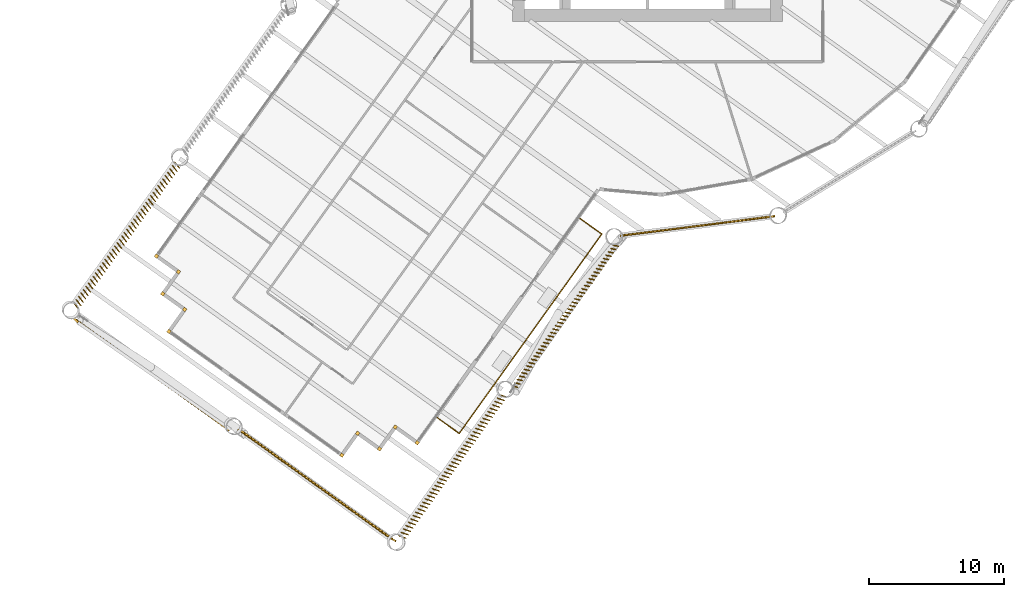
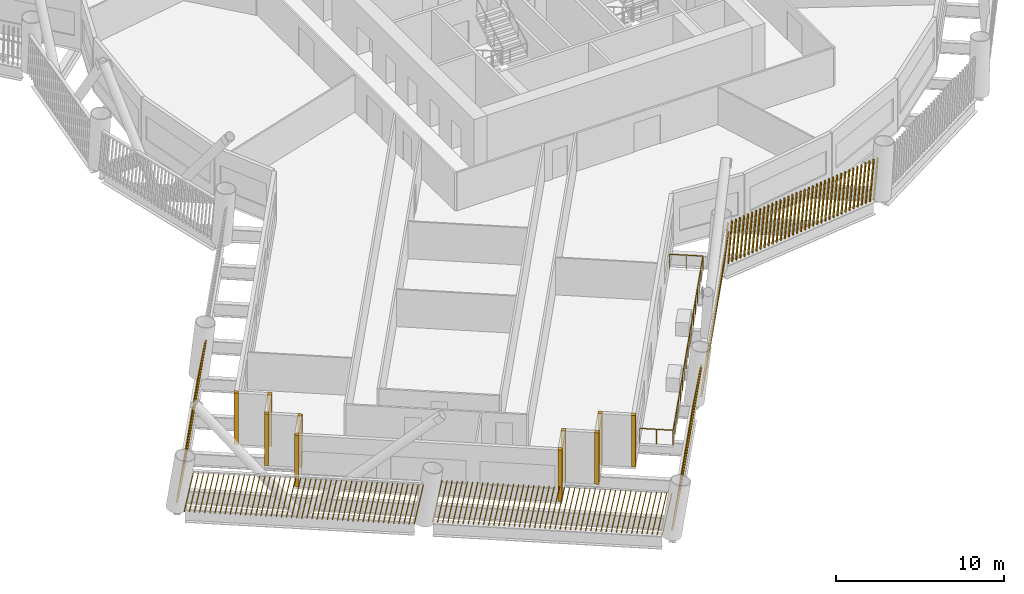
# One storey, part 17 of 21: 16 shading devices, 1 railing.
"""IFC4 building model written with IfcOpenShell, lengths in metres."""

from ifc_helpers import new_model, si_unit, direction, frame, frame_2d, origin, origin_2d, place, context, subcontext, project, spatial, rectangle, circle, composite_profile, extrude, material, type_object, element, save


model = new_model("IFC4")

# Units and contexts
model_context = context("Model", 3, precision=1e-05, world=origin(), true_north=direction((0.0, 1.0)))
body_context = subcontext(model_context, "Body", "Model", "MODEL_VIEW")
ifc_project = project(units=[si_unit("LENGTHUNIT", "METRE"), si_unit("AREAUNIT", "SQUARE_METRE"), si_unit("VOLUMEUNIT", "CUBIC_METRE"), si_unit("PLANEANGLEUNIT", "RADIAN"), si_unit("MASSUNIT", "GRAM", prefix="KILO")], contexts=[model_context])

# Site, building, storey
site_placement = place(None, origin())
site = spatial("IfcSite", under=ifc_project, at=site_placement, CompositionType="ELEMENT")
building_placement = place(site_placement, origin())
building = spatial("IfcBuilding", under=site, at=building_placement, Name="Tarsis Ring Headquarters", CompositionType="ELEMENT")
storey_placement = place(building_placement, frame((0.0, 0.0, 47.800048828125)))
storey = spatial("IfcBuildingStorey", under=building, at=storey_placement, Name="L09", CompositionType="ELEMENT", Elevation=47.800048828125)

# Railing
ifc_material_1 = material(Name="Stainless steel guard", Category="steel")
railing_type = type_object("IfcRailingType", Name="Balcony balustrade with mesh infill 1100", PredefinedType="BALUSTRADE", material=ifc_material_1)
railing_placement = place(storey_placement, frame((-15.565185546875, -42.35546875, 0.0)))
element("IfcRailing", 1, at=railing_placement, inside=storey, type_object=railing_type, Name="Balcony balustrade L09-16", PredefinedType="BALUSTRADE", context=body_context, shape_type="SweptSolid", body=[
    extrude(circle(Radius=0.030029296875, at=origin_2d()), frame((0.0, 0.0, 1.070068359375), z_axis=(0.813147423882, -0.582057786679, 0.0), x_axis=(0.582057786679, 0.813147423882, 0.0)), (0.0, 0.0, 1.0), 2.0),
    extrude(circle(Radius=0.030029296875, at=origin_2d()), frame((1.626220703125, -1.1640625, 1.070068359375), z_axis=(0.582128472772, 0.813096821534, 0.0), x_axis=(-0.813096821534, 0.582128472772, 0.0)), (0.0, 0.0, 1.0), 18.1513671875),
    extrude(circle(Radius=0.030029296875, at=origin_2d()), frame((12.192626953125, 13.5947265625, 1.070068359375), z_axis=(-0.813089645617, 0.582138495713, 0.0), x_axis=(-0.582138495713, -0.813089645617, 0.0)), (0.0, 0.0, 1.0), 2.0),
    extrude(circle(Radius=0.02490234375, at=origin_2d()), origin(), (0.0, 0.0, 1.0), 1.0400390625),
    extrude(circle(Radius=0.02490234375, at=origin_2d()), frame((0.81298828125, -0.58203125, 0.0)), (0.0, 0.0, 1.0), 1.0400390625),
    extrude(circle(Radius=0.02490234375, at=origin_2d()), frame((1.626220703125, -1.1640625, 0.0)), (0.0, 0.0, 1.0), 1.0400390625),
    extrude(circle(Radius=0.02490234375, at=origin_2d()), frame((2.28662109375, -0.24169921875, 0.0)), (0.0, 0.0, 1.0), 1.0400390625),
    extrude(circle(Radius=0.02490234375, at=origin_2d()), frame((2.947021484375, 0.6806640625, 0.0)), (0.0, 0.0, 1.0), 1.0400390625),
    extrude(circle(Radius=0.02490234375, at=origin_2d()), frame((3.607421875, 1.603271484375, 0.0)), (0.0, 0.0, 1.0), 1.0400390625),
    extrude(circle(Radius=0.02490234375, at=origin_2d()), frame((4.267822265625, 2.525634765625, 0.0)), (0.0, 0.0, 1.0), 1.0400390625),
    extrude(circle(Radius=0.02490234375, at=origin_2d()), frame((4.92822265625, 3.447998046875, 0.0)), (0.0, 0.0, 1.0), 1.0400390625),
    extrude(circle(Radius=0.02490234375, at=origin_2d()), frame((5.588623046875, 4.37060546875, 0.0)), (0.0, 0.0, 1.0), 1.0400390625),
    extrude(circle(Radius=0.02490234375, at=origin_2d()), frame((6.2490234375, 5.29296875, 0.0)), (0.0, 0.0, 1.0), 1.0400390625),
    extrude(circle(Radius=0.02490234375, at=origin_2d()), frame((6.909423828125, 6.21533203125, 0.0)), (0.0, 0.0, 1.0), 1.0400390625),
    extrude(circle(Radius=0.02490234375, at=origin_2d()), frame((7.56982421875, 7.1376953125, 0.0)), (0.0, 0.0, 1.0), 1.0400390625),
    extrude(circle(Radius=0.02490234375, at=origin_2d()), frame((8.230224609375, 8.06005859375, 0.0)), (0.0, 0.0, 1.0), 1.0400390625),
    extrude(circle(Radius=0.02490234375, at=origin_2d()), frame((8.890625, 8.982666015625, 0.0)), (0.0, 0.0, 1.0), 1.0400390625),
    extrude(circle(Radius=0.02490234375, at=origin_2d()), frame((9.551025390625, 9.905029296875, 0.0)), (0.0, 0.0, 1.0), 1.0400390625),
    extrude(circle(Radius=0.02490234375, at=origin_2d()), frame((10.21142578125, 10.827392578125, 0.0)), (0.0, 0.0, 1.0), 1.0400390625),
    extrude(circle(Radius=0.02490234375, at=origin_2d()), frame((10.871826171875, 11.75, 0.0)), (0.0, 0.0, 1.0), 1.0400390625),
    extrude(circle(Radius=0.02490234375, at=origin_2d()), frame((11.5322265625, 12.67236328125, 0.0)), (0.0, 0.0, 1.0), 1.0400390625),
    extrude(circle(Radius=0.02490234375, at=origin_2d()), frame((12.192626953125, 13.5947265625, 0.0)), (0.0, 0.0, 1.0), 1.0400390625),
    extrude(circle(Radius=0.02490234375, at=origin_2d()), frame((11.37939453125, 14.1767578125, 0.0)), (0.0, 0.0, 1.0), 1.0400390625),
    extrude(circle(Radius=0.02490234375, at=origin_2d()), frame((10.56640625, 14.759033203125, 0.0)), (0.0, 0.0, 1.0), 1.0400390625),
])

# Shading devices
ifc_material_2 = material(Name="Terracotta baguette", Category="masonry")
shading_device_type_1 = type_object("IfcShadingDeviceType", Name="Terracotta baguette screen", PredefinedType="USERDEFINED", material=ifc_material_2)
shading_device_1_placement = place(storey_placement, frame((-34.96826171875, -23.4189453125, 0.0), z_axis=(0.0, 0.0, 1.0), x_axis=(-0.582133328287, -0.813101973622, 0.0)))
element("IfcShadingDevice", 2, at=shading_device_1_placement, inside=storey, type_object=shading_device_type_1, Name="Baguette screen L09-02", ObjectType="Terracotta baguette screen", PredefinedType="USERDEFINED", context=body_context, shape_type="SweptSolid", body=[
    extrude(composite_profile([rectangle(XDim=0.06005859375, YDim=0.1201171875, at=frame_2d((0.030029296875, 0.0))), rectangle(XDim=0.06005859375, YDim=0.1201171875, at=frame_2d((0.335693359375, 0.0))), rectangle(XDim=0.06005859375, YDim=0.1201171875, at=frame_2d((0.6416015625, 0.0))), rectangle(XDim=0.06005859375, YDim=0.1201171875, at=frame_2d((0.947265625, 0.0))), rectangle(XDim=0.06005859375, YDim=0.1201171875, at=frame_2d((1.253173828125, 0.0))), rectangle(XDim=0.06005859375, YDim=0.1201171875, at=frame_2d((1.558837890625, 0.0))), rectangle(XDim=0.06005859375, YDim=0.1201171875, at=frame_2d((1.864501953125, 0.0))), rectangle(XDim=0.06005859375, YDim=0.1201171875, at=frame_2d((2.17041015625, 0.0))), rectangle(XDim=0.06005859375, YDim=0.1201171875, at=frame_2d((2.47607421875, 0.0))), rectangle(XDim=0.06005859375, YDim=0.1201171875, at=frame_2d((2.781982421875, 0.0))), rectangle(XDim=0.06005859375, YDim=0.1201171875, at=frame_2d((3.087646484375, 0.0))), rectangle(XDim=0.06005859375, YDim=0.1201171875, at=frame_2d((3.393310546875, 0.0))), rectangle(XDim=0.06005859375, YDim=0.1201171875, at=frame_2d((3.69921875, 0.0))), rectangle(XDim=0.06005859375, YDim=0.1201171875, at=frame_2d((4.0048828125, 0.0))), rectangle(XDim=0.06005859375, YDim=0.1201171875, at=frame_2d((4.310791015625, 0.0))), rectangle(XDim=0.06005859375, YDim=0.1201171875, at=frame_2d((4.616455078125, 0.0))), rectangle(XDim=0.06005859375, YDim=0.1201171875, at=frame_2d((4.922119140625, 0.0))), rectangle(XDim=0.06005859375, YDim=0.1201171875, at=frame_2d((5.22802734375, 0.0))), rectangle(XDim=0.06005859375, YDim=0.1201171875, at=frame_2d((5.53369140625, 0.0))), rectangle(XDim=0.06005859375, YDim=0.1201171875, at=frame_2d((5.839599609375, 0.0))), rectangle(XDim=0.06005859375, YDim=0.1201171875, at=frame_2d((6.145263671875, 0.0))), rectangle(XDim=0.06005859375, YDim=0.1201171875, at=frame_2d((6.451171875, 0.0))), rectangle(XDim=0.06005859375, YDim=0.1201171875, at=frame_2d((6.7568359375, 0.0))), rectangle(XDim=0.06005859375, YDim=0.1201171875, at=frame_2d((7.0625, 0.0))), rectangle(XDim=0.06005859375, YDim=0.1201171875, at=frame_2d((7.368408203125, 0.0))), rectangle(XDim=0.06005859375, YDim=0.1201171875, at=frame_2d((7.674072265625, 0.0))), rectangle(XDim=0.06005859375, YDim=0.1201171875, at=frame_2d((7.97998046875, 0.0))), rectangle(XDim=0.06005859375, YDim=0.1201171875, at=frame_2d((8.28564453125, 0.0))), rectangle(XDim=0.06005859375, YDim=0.1201171875, at=frame_2d((8.59130859375, 0.0))), rectangle(XDim=0.06005859375, YDim=0.1201171875, at=frame_2d((8.897216796875, 0.0))), rectangle(XDim=0.06005859375, YDim=0.1201171875, at=frame_2d((9.202880859375, 0.0))), rectangle(XDim=0.06005859375, YDim=0.1201171875, at=frame_2d((9.5087890625, 0.0))), rectangle(XDim=0.06005859375, YDim=0.1201171875, at=frame_2d((9.814453125, 0.0))), rectangle(XDim=0.06005859375, YDim=0.1201171875, at=frame_2d((10.1201171875, 0.0))), rectangle(XDim=0.06005859375, YDim=0.1201171875, at=frame_2d((10.426025390625, 0.0))), rectangle(XDim=0.06005859375, YDim=0.1201171875, at=frame_2d((10.731689453125, 0.0))), rectangle(XDim=0.06005859375, YDim=0.1201171875, at=frame_2d((11.03759765625, 0.0))), rectangle(XDim=0.06005859375, YDim=0.1201171875, at=frame_2d((11.34326171875, 0.0))), rectangle(XDim=0.06005859375, YDim=0.1201171875, at=frame_2d((11.64892578125, 0.0))), rectangle(XDim=0.06005859375, YDim=0.1201171875, at=frame_2d((11.954833984375, 0.0))), rectangle(XDim=0.06005859375, YDim=0.1201171875, at=frame_2d((12.260498046875, 0.0))), rectangle(XDim=0.06005859375, YDim=0.1201171875, at=frame_2d((12.56640625, 0.0))), rectangle(XDim=0.06005859375, YDim=0.1201171875, at=frame_2d((12.8720703125, 0.0)))]), origin(), (0.050899663533, 0.160556520991, 0.985713359867), 2.995361328125),
])
shading_device_2_placement = place(storey_placement, frame((-42.581787109375, -34.912353515625, 0.0), z_axis=(0.0, 0.0, 1.0), x_axis=(0.813109243697, -0.582114108801, 0.0)))
element("IfcShadingDevice", 3, at=shading_device_2_placement, inside=storey, type_object=shading_device_type_1, Name="Baguette screen L09-03", ObjectType="Terracotta baguette screen", PredefinedType="USERDEFINED", context=body_context, shape_type="SweptSolid", body=[
    extrude(composite_profile([rectangle(XDim=0.06005859375, YDim=0.1201171875, at=frame_2d((0.030029296875, 0.0))), rectangle(XDim=0.06005859375, YDim=0.1201171875, at=frame_2d((0.33544921875, 0.0))), rectangle(XDim=0.06005859375, YDim=0.1201171875, at=frame_2d((0.640625, 0.0))), rectangle(XDim=0.06005859375, YDim=0.1201171875, at=frame_2d((0.946044921875, 0.0))), rectangle(XDim=0.06005859375, YDim=0.1201171875, at=frame_2d((1.25146484375, 0.0))), rectangle(XDim=0.06005859375, YDim=0.1201171875, at=frame_2d((1.556640625, 0.0))), rectangle(XDim=0.06005859375, YDim=0.1201171875, at=frame_2d((1.862060546875, 0.0))), rectangle(XDim=0.06005859375, YDim=0.1201171875, at=frame_2d((2.16748046875, 0.0))), rectangle(XDim=0.06005859375, YDim=0.1201171875, at=frame_2d((2.47265625, 0.0))), rectangle(XDim=0.06005859375, YDim=0.1201171875, at=frame_2d((2.778076171875, 0.0))), rectangle(XDim=0.06005859375, YDim=0.1201171875, at=frame_2d((3.08349609375, 0.0))), rectangle(XDim=0.06005859375, YDim=0.1201171875, at=frame_2d((3.388671875, 0.0))), rectangle(XDim=0.06005859375, YDim=0.1201171875, at=frame_2d((3.694091796875, 0.0))), rectangle(XDim=0.06005859375, YDim=0.1201171875, at=frame_2d((3.99951171875, 0.0))), rectangle(XDim=0.06005859375, YDim=0.1201171875, at=frame_2d((4.3046875, 0.0))), rectangle(XDim=0.06005859375, YDim=0.1201171875, at=frame_2d((4.610107421875, 0.0))), rectangle(XDim=0.06005859375, YDim=0.1201171875, at=frame_2d((4.91552734375, 0.0))), rectangle(XDim=0.06005859375, YDim=0.1201171875, at=frame_2d((5.220703125, 0.0))), rectangle(XDim=0.06005859375, YDim=0.1201171875, at=frame_2d((5.526123046875, 0.0))), rectangle(XDim=0.06005859375, YDim=0.1201171875, at=frame_2d((5.83154296875, 0.0))), rectangle(XDim=0.06005859375, YDim=0.1201171875, at=frame_2d((6.13671875, 0.0))), rectangle(XDim=0.06005859375, YDim=0.1201171875, at=frame_2d((6.442138671875, 0.0))), rectangle(XDim=0.06005859375, YDim=0.1201171875, at=frame_2d((6.74755859375, 0.0))), rectangle(XDim=0.06005859375, YDim=0.1201171875, at=frame_2d((7.052734375, 0.0))), rectangle(XDim=0.06005859375, YDim=0.1201171875, at=frame_2d((7.358154296875, 0.0))), rectangle(XDim=0.06005859375, YDim=0.1201171875, at=frame_2d((7.66357421875, 0.0))), rectangle(XDim=0.06005859375, YDim=0.1201171875, at=frame_2d((7.96875, 0.0))), rectangle(XDim=0.06005859375, YDim=0.1201171875, at=frame_2d((8.274169921875, 0.0))), rectangle(XDim=0.06005859375, YDim=0.1201171875, at=frame_2d((8.57958984375, 0.0))), rectangle(XDim=0.06005859375, YDim=0.1201171875, at=frame_2d((8.884765625, 0.0))), rectangle(XDim=0.06005859375, YDim=0.1201171875, at=frame_2d((9.190185546875, 0.0))), rectangle(XDim=0.06005859375, YDim=0.1201171875, at=frame_2d((9.49560546875, 0.0))), rectangle(XDim=0.06005859375, YDim=0.1201171875, at=frame_2d((9.80078125, 0.0))), rectangle(XDim=0.06005859375, YDim=0.1201171875, at=frame_2d((10.106201171875, 0.0))), rectangle(XDim=0.06005859375, YDim=0.1201171875, at=frame_2d((10.41162109375, 0.0))), rectangle(XDim=0.06005859375, YDim=0.1201171875, at=frame_2d((10.716796875, 0.0))), rectangle(XDim=0.06005859375, YDim=0.1201171875, at=frame_2d((11.022216796875, 0.0))), rectangle(XDim=0.06005859375, YDim=0.1201171875, at=frame_2d((11.32763671875, 0.0))), rectangle(XDim=0.06005859375, YDim=0.1201171875, at=frame_2d((11.6328125, 0.0))), rectangle(XDim=0.06005859375, YDim=0.1201171875, at=frame_2d((11.938232421875, 0.0))), rectangle(XDim=0.06005859375, YDim=0.1201171875, at=frame_2d((12.24365234375, 0.0))), rectangle(XDim=0.06005859375, YDim=0.1201171875, at=frame_2d((12.548828125, 0.0))), rectangle(XDim=0.06005859375, YDim=0.1201171875, at=frame_2d((12.854248046875, 0.0))), rectangle(XDim=0.06005859375, YDim=0.1201171875, at=frame_2d((13.15966796875, 0.0))), rectangle(XDim=0.06005859375, YDim=0.1201171875, at=frame_2d((13.46484375, 0.0))), rectangle(XDim=0.06005859375, YDim=0.1201171875, at=frame_2d((13.770263671875, 0.0)))]), origin(), (0.185396289653, -0.024814063955, 0.98235048634), 3.005615234375),
])
shading_device_3_placement = place(storey_placement, frame((-30.32958984375, -43.222900390625, 0.0), z_axis=(0.0, 0.0, 1.0), x_axis=(0.813109243697, -0.582114108801, 0.0)))
element("IfcShadingDevice", 4, at=shading_device_3_placement, inside=storey, type_object=shading_device_type_1, Name="Baguette screen L09-04", ObjectType="Terracotta baguette screen", PredefinedType="USERDEFINED", context=body_context, shape_type="SweptSolid", body=[
    extrude(composite_profile([rectangle(XDim=0.06005859375, YDim=0.1201171875, at=frame_2d((0.030029296875, 0.0))), rectangle(XDim=0.06005859375, YDim=0.1201171875, at=frame_2d((0.33544921875, 0.0))), rectangle(XDim=0.06005859375, YDim=0.1201171875, at=frame_2d((0.640625, 0.0))), rectangle(XDim=0.06005859375, YDim=0.1201171875, at=frame_2d((0.946044921875, 0.0))), rectangle(XDim=0.06005859375, YDim=0.1201171875, at=frame_2d((1.25146484375, 0.0))), rectangle(XDim=0.06005859375, YDim=0.1201171875, at=frame_2d((1.556640625, 0.0))), rectangle(XDim=0.06005859375, YDim=0.1201171875, at=frame_2d((1.862060546875, 0.0))), rectangle(XDim=0.06005859375, YDim=0.1201171875, at=frame_2d((2.16748046875, 0.0))), rectangle(XDim=0.06005859375, YDim=0.1201171875, at=frame_2d((2.47265625, 0.0))), rectangle(XDim=0.06005859375, YDim=0.1201171875, at=frame_2d((2.778076171875, 0.0))), rectangle(XDim=0.06005859375, YDim=0.1201171875, at=frame_2d((3.08349609375, 0.0))), rectangle(XDim=0.06005859375, YDim=0.1201171875, at=frame_2d((3.388671875, 0.0))), rectangle(XDim=0.06005859375, YDim=0.1201171875, at=frame_2d((3.694091796875, 0.0))), rectangle(XDim=0.06005859375, YDim=0.1201171875, at=frame_2d((3.99951171875, 0.0))), rectangle(XDim=0.06005859375, YDim=0.1201171875, at=frame_2d((4.3046875, 0.0))), rectangle(XDim=0.06005859375, YDim=0.1201171875, at=frame_2d((4.610107421875, 0.0))), rectangle(XDim=0.06005859375, YDim=0.1201171875, at=frame_2d((4.91552734375, 0.0))), rectangle(XDim=0.06005859375, YDim=0.1201171875, at=frame_2d((5.220703125, 0.0))), rectangle(XDim=0.06005859375, YDim=0.1201171875, at=frame_2d((5.526123046875, 0.0))), rectangle(XDim=0.06005859375, YDim=0.1201171875, at=frame_2d((5.83154296875, 0.0))), rectangle(XDim=0.06005859375, YDim=0.1201171875, at=frame_2d((6.13671875, 0.0))), rectangle(XDim=0.06005859375, YDim=0.1201171875, at=frame_2d((6.442138671875, 0.0))), rectangle(XDim=0.06005859375, YDim=0.1201171875, at=frame_2d((6.74755859375, 0.0))), rectangle(XDim=0.06005859375, YDim=0.1201171875, at=frame_2d((7.052734375, 0.0))), rectangle(XDim=0.06005859375, YDim=0.1201171875, at=frame_2d((7.358154296875, 0.0))), rectangle(XDim=0.06005859375, YDim=0.1201171875, at=frame_2d((7.66357421875, 0.0))), rectangle(XDim=0.06005859375, YDim=0.1201171875, at=frame_2d((7.96875, 0.0))), rectangle(XDim=0.06005859375, YDim=0.1201171875, at=frame_2d((8.274169921875, 0.0))), rectangle(XDim=0.06005859375, YDim=0.1201171875, at=frame_2d((8.57958984375, 0.0))), rectangle(XDim=0.06005859375, YDim=0.1201171875, at=frame_2d((8.884765625, 0.0))), rectangle(XDim=0.06005859375, YDim=0.1201171875, at=frame_2d((9.190185546875, 0.0))), rectangle(XDim=0.06005859375, YDim=0.1201171875, at=frame_2d((9.49560546875, 0.0))), rectangle(XDim=0.06005859375, YDim=0.1201171875, at=frame_2d((9.80078125, 0.0))), rectangle(XDim=0.06005859375, YDim=0.1201171875, at=frame_2d((10.106201171875, 0.0))), rectangle(XDim=0.06005859375, YDim=0.1201171875, at=frame_2d((10.41162109375, 0.0))), rectangle(XDim=0.06005859375, YDim=0.1201171875, at=frame_2d((10.716796875, 0.0))), rectangle(XDim=0.06005859375, YDim=0.1201171875, at=frame_2d((11.022216796875, 0.0))), rectangle(XDim=0.06005859375, YDim=0.1201171875, at=frame_2d((11.32763671875, 0.0))), rectangle(XDim=0.06005859375, YDim=0.1201171875, at=frame_2d((11.6328125, 0.0))), rectangle(XDim=0.06005859375, YDim=0.1201171875, at=frame_2d((11.938232421875, 0.0))), rectangle(XDim=0.06005859375, YDim=0.1201171875, at=frame_2d((12.24365234375, 0.0))), rectangle(XDim=0.06005859375, YDim=0.1201171875, at=frame_2d((12.548828125, 0.0))), rectangle(XDim=0.06005859375, YDim=0.1201171875, at=frame_2d((12.854248046875, 0.0))), rectangle(XDim=0.06005859375, YDim=0.1201171875, at=frame_2d((13.15966796875, 0.0))), rectangle(XDim=0.06005859375, YDim=0.1201171875, at=frame_2d((13.46484375, 0.0))), rectangle(XDim=0.06005859375, YDim=0.1201171875, at=frame_2d((13.770263671875, 0.0)))]), origin(), (0.183864761659, 0.026748746531, 0.982587529933), 3.0048828125),
])
shading_device_4_placement = place(storey_placement, frame((-18.4111328125, -51.140625, 0.0), z_axis=(0.0, 0.0, 1.0), x_axis=(0.582122313049, 0.813105510142, 0.0)))
element("IfcShadingDevice", 5, at=shading_device_4_placement, inside=storey, type_object=shading_device_type_1, Name="Baguette screen L09-05", ObjectType="Terracotta baguette screen", PredefinedType="USERDEFINED", context=body_context, shape_type="SweptSolid", body=[
    extrude(composite_profile([rectangle(XDim=0.06005859375, YDim=0.1201171875, at=frame_2d((0.030029296875, 0.0))), rectangle(XDim=0.06005859375, YDim=0.1201171875, at=frame_2d((0.335693359375, 0.0))), rectangle(XDim=0.06005859375, YDim=0.1201171875, at=frame_2d((0.6416015625, 0.0))), rectangle(XDim=0.06005859375, YDim=0.1201171875, at=frame_2d((0.947265625, 0.0))), rectangle(XDim=0.06005859375, YDim=0.1201171875, at=frame_2d((1.253173828125, 0.0))), rectangle(XDim=0.06005859375, YDim=0.1201171875, at=frame_2d((1.558837890625, 0.0))), rectangle(XDim=0.06005859375, YDim=0.1201171875, at=frame_2d((1.864501953125, 0.0))), rectangle(XDim=0.06005859375, YDim=0.1201171875, at=frame_2d((2.17041015625, 0.0))), rectangle(XDim=0.06005859375, YDim=0.1201171875, at=frame_2d((2.47607421875, 0.0))), rectangle(XDim=0.06005859375, YDim=0.1201171875, at=frame_2d((2.781982421875, 0.0))), rectangle(XDim=0.06005859375, YDim=0.1201171875, at=frame_2d((3.087646484375, 0.0))), rectangle(XDim=0.06005859375, YDim=0.1201171875, at=frame_2d((3.393310546875, 0.0))), rectangle(XDim=0.06005859375, YDim=0.1201171875, at=frame_2d((3.69921875, 0.0))), rectangle(XDim=0.06005859375, YDim=0.1201171875, at=frame_2d((4.0048828125, 0.0))), rectangle(XDim=0.06005859375, YDim=0.1201171875, at=frame_2d((4.310791015625, 0.0))), rectangle(XDim=0.06005859375, YDim=0.1201171875, at=frame_2d((4.616455078125, 0.0))), rectangle(XDim=0.06005859375, YDim=0.1201171875, at=frame_2d((4.922119140625, 0.0))), rectangle(XDim=0.06005859375, YDim=0.1201171875, at=frame_2d((5.22802734375, 0.0))), rectangle(XDim=0.06005859375, YDim=0.1201171875, at=frame_2d((5.53369140625, 0.0))), rectangle(XDim=0.06005859375, YDim=0.1201171875, at=frame_2d((5.839599609375, 0.0))), rectangle(XDim=0.06005859375, YDim=0.1201171875, at=frame_2d((6.145263671875, 0.0))), rectangle(XDim=0.06005859375, YDim=0.1201171875, at=frame_2d((6.451171875, 0.0))), rectangle(XDim=0.06005859375, YDim=0.1201171875, at=frame_2d((6.7568359375, 0.0))), rectangle(XDim=0.06005859375, YDim=0.1201171875, at=frame_2d((7.0625, 0.0))), rectangle(XDim=0.06005859375, YDim=0.1201171875, at=frame_2d((7.368408203125, 0.0))), rectangle(XDim=0.06005859375, YDim=0.1201171875, at=frame_2d((7.674072265625, 0.0))), rectangle(XDim=0.06005859375, YDim=0.1201171875, at=frame_2d((7.97998046875, 0.0))), rectangle(XDim=0.06005859375, YDim=0.1201171875, at=frame_2d((8.28564453125, 0.0))), rectangle(XDim=0.06005859375, YDim=0.1201171875, at=frame_2d((8.59130859375, 0.0))), rectangle(XDim=0.06005859375, YDim=0.1201171875, at=frame_2d((8.897216796875, 0.0))), rectangle(XDim=0.06005859375, YDim=0.1201171875, at=frame_2d((9.202880859375, 0.0))), rectangle(XDim=0.06005859375, YDim=0.1201171875, at=frame_2d((9.5087890625, 0.0))), rectangle(XDim=0.06005859375, YDim=0.1201171875, at=frame_2d((9.814453125, 0.0))), rectangle(XDim=0.06005859375, YDim=0.1201171875, at=frame_2d((10.1201171875, 0.0))), rectangle(XDim=0.06005859375, YDim=0.1201171875, at=frame_2d((10.426025390625, 0.0))), rectangle(XDim=0.06005859375, YDim=0.1201171875, at=frame_2d((10.731689453125, 0.0))), rectangle(XDim=0.06005859375, YDim=0.1201171875, at=frame_2d((11.03759765625, 0.0))), rectangle(XDim=0.06005859375, YDim=0.1201171875, at=frame_2d((11.34326171875, 0.0))), rectangle(XDim=0.06005859375, YDim=0.1201171875, at=frame_2d((11.64892578125, 0.0))), rectangle(XDim=0.06005859375, YDim=0.1201171875, at=frame_2d((11.954833984375, 0.0))), rectangle(XDim=0.06005859375, YDim=0.1201171875, at=frame_2d((12.260498046875, 0.0))), rectangle(XDim=0.06005859375, YDim=0.1201171875, at=frame_2d((12.56640625, 0.0))), rectangle(XDim=0.06005859375, YDim=0.1201171875, at=frame_2d((12.8720703125, 0.0)))]), origin(), (0.052578471772, -0.160013820025, 0.98571348865), 2.995361328125),
])
shading_device_5_placement = place(storey_placement, frame((-10.013427734375, -40.054931640625, 0.0), z_axis=(0.0, 0.0, 1.0), x_axis=(0.582133328287, 0.813101973622, 0.0)))
element("IfcShadingDevice", 6, at=shading_device_5_placement, inside=storey, type_object=shading_device_type_1, Name="Baguette screen L09-06", ObjectType="Terracotta baguette screen", PredefinedType="USERDEFINED", context=body_context, shape_type="SweptSolid", body=[
    extrude(composite_profile([rectangle(XDim=0.06005859375, YDim=0.1201171875, at=frame_2d((0.030029296875, 0.0))), rectangle(XDim=0.06005859375, YDim=0.1201171875, at=frame_2d((0.335693359375, 0.0))), rectangle(XDim=0.06005859375, YDim=0.1201171875, at=frame_2d((0.6416015625, 0.0))), rectangle(XDim=0.06005859375, YDim=0.1201171875, at=frame_2d((0.947265625, 0.0))), rectangle(XDim=0.06005859375, YDim=0.1201171875, at=frame_2d((1.253173828125, 0.0))), rectangle(XDim=0.06005859375, YDim=0.1201171875, at=frame_2d((1.558837890625, 0.0))), rectangle(XDim=0.06005859375, YDim=0.1201171875, at=frame_2d((1.864501953125, 0.0))), rectangle(XDim=0.06005859375, YDim=0.1201171875, at=frame_2d((2.17041015625, 0.0))), rectangle(XDim=0.06005859375, YDim=0.1201171875, at=frame_2d((2.47607421875, 0.0))), rectangle(XDim=0.06005859375, YDim=0.1201171875, at=frame_2d((2.781982421875, 0.0))), rectangle(XDim=0.06005859375, YDim=0.1201171875, at=frame_2d((3.087646484375, 0.0))), rectangle(XDim=0.06005859375, YDim=0.1201171875, at=frame_2d((3.393310546875, 0.0))), rectangle(XDim=0.06005859375, YDim=0.1201171875, at=frame_2d((3.69921875, 0.0))), rectangle(XDim=0.06005859375, YDim=0.1201171875, at=frame_2d((4.0048828125, 0.0))), rectangle(XDim=0.06005859375, YDim=0.1201171875, at=frame_2d((4.310791015625, 0.0))), rectangle(XDim=0.06005859375, YDim=0.1201171875, at=frame_2d((4.616455078125, 0.0))), rectangle(XDim=0.06005859375, YDim=0.1201171875, at=frame_2d((4.922119140625, 0.0))), rectangle(XDim=0.06005859375, YDim=0.1201171875, at=frame_2d((5.22802734375, 0.0))), rectangle(XDim=0.06005859375, YDim=0.1201171875, at=frame_2d((5.53369140625, 0.0))), rectangle(XDim=0.06005859375, YDim=0.1201171875, at=frame_2d((5.839599609375, 0.0))), rectangle(XDim=0.06005859375, YDim=0.1201171875, at=frame_2d((6.145263671875, 0.0))), rectangle(XDim=0.06005859375, YDim=0.1201171875, at=frame_2d((6.451171875, 0.0))), rectangle(XDim=0.06005859375, YDim=0.1201171875, at=frame_2d((6.7568359375, 0.0))), rectangle(XDim=0.06005859375, YDim=0.1201171875, at=frame_2d((7.0625, 0.0))), rectangle(XDim=0.06005859375, YDim=0.1201171875, at=frame_2d((7.368408203125, 0.0))), rectangle(XDim=0.06005859375, YDim=0.1201171875, at=frame_2d((7.674072265625, 0.0))), rectangle(XDim=0.06005859375, YDim=0.1201171875, at=frame_2d((7.97998046875, 0.0))), rectangle(XDim=0.06005859375, YDim=0.1201171875, at=frame_2d((8.28564453125, 0.0))), rectangle(XDim=0.06005859375, YDim=0.1201171875, at=frame_2d((8.59130859375, 0.0))), rectangle(XDim=0.06005859375, YDim=0.1201171875, at=frame_2d((8.897216796875, 0.0))), rectangle(XDim=0.06005859375, YDim=0.1201171875, at=frame_2d((9.202880859375, 0.0))), rectangle(XDim=0.06005859375, YDim=0.1201171875, at=frame_2d((9.5087890625, 0.0))), rectangle(XDim=0.06005859375, YDim=0.1201171875, at=frame_2d((9.814453125, 0.0))), rectangle(XDim=0.06005859375, YDim=0.1201171875, at=frame_2d((10.1201171875, 0.0))), rectangle(XDim=0.06005859375, YDim=0.1201171875, at=frame_2d((10.426025390625, 0.0))), rectangle(XDim=0.06005859375, YDim=0.1201171875, at=frame_2d((10.731689453125, 0.0))), rectangle(XDim=0.06005859375, YDim=0.1201171875, at=frame_2d((11.03759765625, 0.0))), rectangle(XDim=0.06005859375, YDim=0.1201171875, at=frame_2d((11.34326171875, 0.0))), rectangle(XDim=0.06005859375, YDim=0.1201171875, at=frame_2d((11.64892578125, 0.0))), rectangle(XDim=0.06005859375, YDim=0.1201171875, at=frame_2d((11.954833984375, 0.0))), rectangle(XDim=0.06005859375, YDim=0.1201171875, at=frame_2d((12.260498046875, 0.0))), rectangle(XDim=0.06005859375, YDim=0.1201171875, at=frame_2d((12.56640625, 0.0))), rectangle(XDim=0.06005859375, YDim=0.1201171875, at=frame_2d((12.8720703125, 0.0)))]), origin(), (0.053990685446, -0.112141349895, 0.992224432036), 2.975830078125),
])
shading_device_6_placement = place(storey_placement, frame((-2.0205078125, -28.876708984375, 0.0), z_axis=(0.0, 0.0, 1.0), x_axis=(0.992121540966, 0.125360824742, 0.0)))
element("IfcShadingDevice", 7, at=shading_device_6_placement, inside=storey, type_object=shading_device_type_1, Name="Baguette screen L09-07", ObjectType="Terracotta baguette screen", PredefinedType="USERDEFINED", context=body_context, shape_type="SweptSolid", body=[
    extrude(composite_profile([rectangle(XDim=0.06005859375, YDim=0.1201171875, at=frame_2d((0.030029296875, 0.0))), rectangle(XDim=0.06005859375, YDim=0.1201171875, at=frame_2d((0.33251953125, 0.0))), rectangle(XDim=0.06005859375, YDim=0.1201171875, at=frame_2d((0.634765625, 0.0))), rectangle(XDim=0.06005859375, YDim=0.1201171875, at=frame_2d((0.937255859375, 0.0))), rectangle(XDim=0.06005859375, YDim=0.1201171875, at=frame_2d((1.239501953125, 0.0))), rectangle(XDim=0.06005859375, YDim=0.1201171875, at=frame_2d((1.5419921875, 0.0))), rectangle(XDim=0.06005859375, YDim=0.1201171875, at=frame_2d((1.844482421875, 0.0))), rectangle(XDim=0.06005859375, YDim=0.1201171875, at=frame_2d((2.146728515625, 0.0))), rectangle(XDim=0.06005859375, YDim=0.1201171875, at=frame_2d((2.44921875, 0.0))), rectangle(XDim=0.06005859375, YDim=0.1201171875, at=frame_2d((2.751708984375, 0.0))), rectangle(XDim=0.06005859375, YDim=0.1201171875, at=frame_2d((3.053955078125, 0.0))), rectangle(XDim=0.06005859375, YDim=0.1201171875, at=frame_2d((3.3564453125, 0.0))), rectangle(XDim=0.06005859375, YDim=0.1201171875, at=frame_2d((3.65869140625, 0.0))), rectangle(XDim=0.06005859375, YDim=0.1201171875, at=frame_2d((3.961181640625, 0.0))), rectangle(XDim=0.06005859375, YDim=0.1201171875, at=frame_2d((4.263671875, 0.0))), rectangle(XDim=0.06005859375, YDim=0.1201171875, at=frame_2d((4.56591796875, 0.0))), rectangle(XDim=0.06005859375, YDim=0.1201171875, at=frame_2d((4.868408203125, 0.0))), rectangle(XDim=0.06005859375, YDim=0.1201171875, at=frame_2d((5.1708984375, 0.0))), rectangle(XDim=0.06005859375, YDim=0.1201171875, at=frame_2d((5.47314453125, 0.0))), rectangle(XDim=0.06005859375, YDim=0.1201171875, at=frame_2d((5.775634765625, 0.0))), rectangle(XDim=0.06005859375, YDim=0.1201171875, at=frame_2d((6.077880859375, 0.0))), rectangle(XDim=0.06005859375, YDim=0.1201171875, at=frame_2d((6.38037109375, 0.0))), rectangle(XDim=0.06005859375, YDim=0.1201171875, at=frame_2d((6.682861328125, 0.0))), rectangle(XDim=0.06005859375, YDim=0.1201171875, at=frame_2d((6.985107421875, 0.0))), rectangle(XDim=0.06005859375, YDim=0.1201171875, at=frame_2d((7.28759765625, 0.0))), rectangle(XDim=0.06005859375, YDim=0.1201171875, at=frame_2d((7.590087890625, 0.0))), rectangle(XDim=0.06005859375, YDim=0.1201171875, at=frame_2d((7.892333984375, 0.0))), rectangle(XDim=0.06005859375, YDim=0.1201171875, at=frame_2d((8.19482421875, 0.0))), rectangle(XDim=0.06005859375, YDim=0.1201171875, at=frame_2d((8.4970703125, 0.0))), rectangle(XDim=0.06005859375, YDim=0.1201171875, at=frame_2d((8.799560546875, 0.0))), rectangle(XDim=0.06005859375, YDim=0.1201171875, at=frame_2d((9.10205078125, 0.0))), rectangle(XDim=0.06005859375, YDim=0.1201171875, at=frame_2d((9.404296875, 0.0))), rectangle(XDim=0.06005859375, YDim=0.1201171875, at=frame_2d((9.706787109375, 0.0))), rectangle(XDim=0.06005859375, YDim=0.1201171875, at=frame_2d((10.00927734375, 0.0))), rectangle(XDim=0.06005859375, YDim=0.1201171875, at=frame_2d((10.3115234375, 0.0))), rectangle(XDim=0.06005859375, YDim=0.1201171875, at=frame_2d((10.614013671875, 0.0))), rectangle(XDim=0.06005859375, YDim=0.1201171875, at=frame_2d((10.916259765625, 0.0))), rectangle(XDim=0.06005859375, YDim=0.1201171875, at=frame_2d((11.21875, 0.0)))]), origin(), (0.10020133872, 0.000524137509, 0.994967043172), 2.967529296875),
])
shading_device_type_2 = type_object("IfcShadingDeviceType", Name="Terracotta corner baguette 250x250", PredefinedType="USERDEFINED", material=ifc_material_2)
for number, where, z_axis, x_axis, name in (
    (8, (-36.3603515625, -30.38818359375, 0.0), (0.0, 0.0, 1.0), (-0.582122984349, -0.813100750887, 0.0), "Corner baguette L09-07"),
    (9, (-34.734375, -31.552490234375, 0.0), (0.0, 0.0, 1.0), (0.813100832167, -0.582122870818, 0.0), "Corner baguette L09-08"),
    (10, (-35.8984375, -33.1787109375, 0.0), (0.0, 0.0, 1.0), (-0.58212311207, -0.813100659447, 0.0), "Corner baguette L09-09"),
    (11, (-34.272216796875, -34.343017578125, 0.0), (0.0, 0.0, 1.0), (0.813100659447, -0.58212311207, 0.0), "Corner baguette L09-10"),
    (12, (-35.4365234375, -35.96923828125, 0.0), (0.0, 0.0, 1.0), (-0.582122870818, -0.813100832167, 0.0), "Corner baguette L09-11"),
    (13, (-22.630126953125, -45.1376953125, 0.0), (0.0, 0.0, 1.0), (0.813100771207, -0.582122955966, 0.0), "Corner baguette L09-12"),
    (14, (-21.466064453125, -43.511474609375, 0.0), (0.0, 0.0, 1.0), (0.58212311207, 0.813100659447, 0.0), "Corner baguette L09-13"),
    (15, (-19.83984375, -44.67578125, 0.0), (0.0, 0.0, 1.0), (0.813100832167, -0.582122870818, 0.0), "Corner baguette L09-14"),
    (16, (-18.675537109375, -43.049560546875, 0.0), (0.0, 0.0, 1.0), (0.582122870818, 0.813100832167, 0.0), "Corner baguette L09-15"),
    (17, (-17.04931640625, -44.213623046875, 0.0), (0.0, 0.0, 1.0), (0.813100659447, -0.58212311207, 0.0), "Corner baguette L09-16"),
):
    element("IfcShadingDevice", number, at=place(storey_placement, frame(where, z_axis=z_axis, x_axis=x_axis)), inside=storey, type_object=shading_device_type_2, Name=name, ObjectType="Terracotta corner baguette", PredefinedType="USERDEFINED", context=body_context, shape_type="SweptSolid", body=[
        extrude(rectangle(XDim=0.25, YDim=0.25, at=origin_2d()), origin(), (0.0, 0.0, 1.0), 3.739990234375),
    ])

save(model, "model.ifc")
